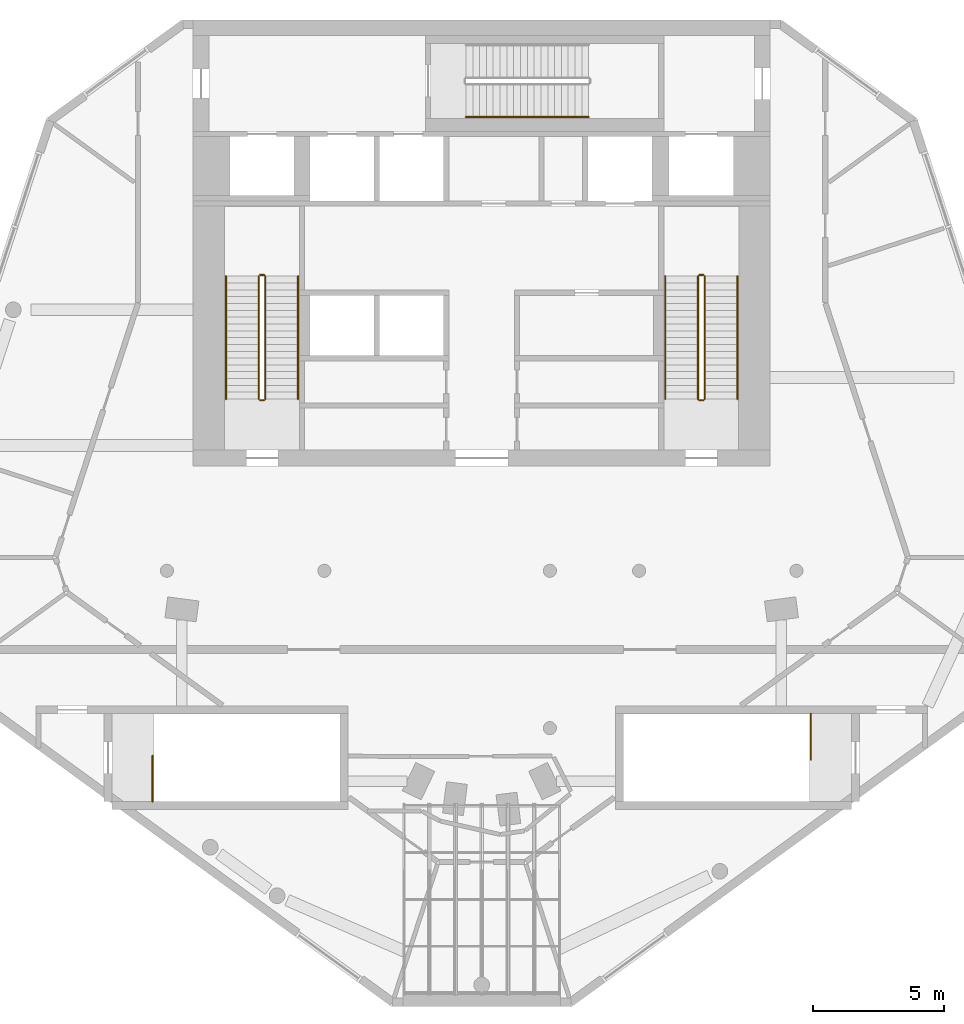
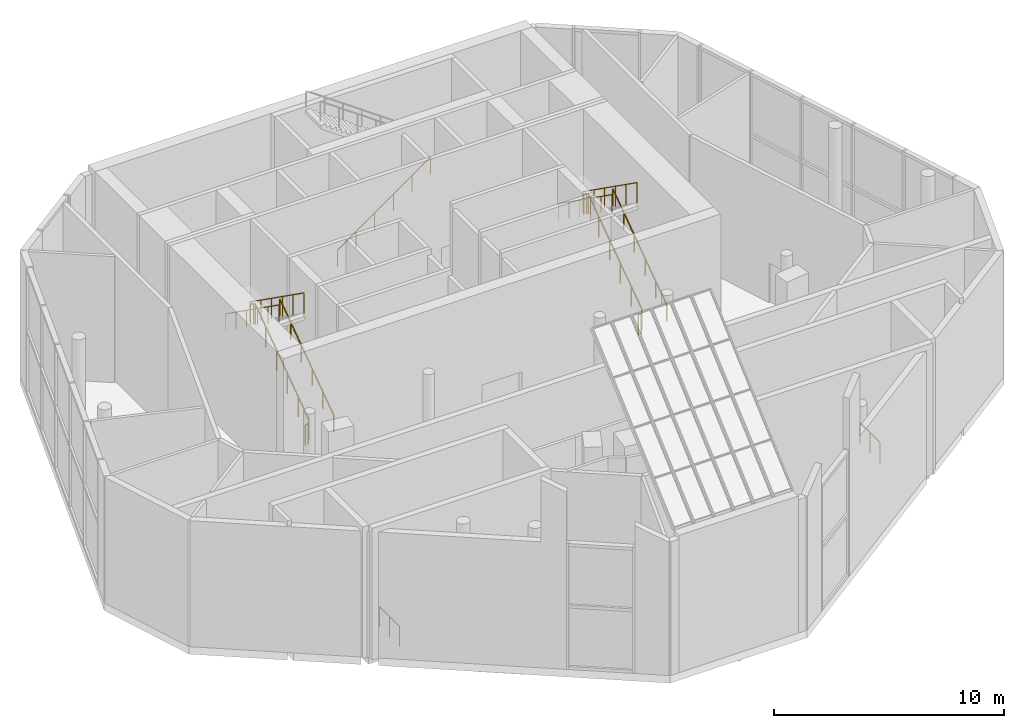
# One storey, part 8 of 9: 15 railings.
"""IFC4 building model written with IfcOpenShell, lengths in metres."""

from ifc_helpers import new_model, si_unit, direction, frame, origin, origin_2d, place, context, subcontext, project, spatial, circle, extrude, material, type_object, element, save


model = new_model("IFC4")

# Units and contexts
model_context = context("Model", 3, precision=1e-05, world=origin(), true_north=direction((0.0, 1.0)))
body_context = subcontext(model_context, "Body", "Model", "MODEL_VIEW")
ifc_project = project(units=[si_unit("LENGTHUNIT", "METRE"), si_unit("AREAUNIT", "SQUARE_METRE"), si_unit("VOLUMEUNIT", "CUBIC_METRE"), si_unit("PLANEANGLEUNIT", "RADIAN"), si_unit("MASSUNIT", "GRAM", prefix="KILO")], contexts=[model_context])

# Site, building, storey
site_placement = place(None, origin())
site = spatial("IfcSite", under=ifc_project, at=site_placement, CompositionType="ELEMENT")
building_placement = place(site_placement, origin())
building = spatial("IfcBuilding", under=site, at=building_placement, Name="White Candle Pilgrim Tower", CompositionType="ELEMENT")
storey_placement = place(building_placement, frame((0.0, 0.0, 321.699951171875)))
storey = spatial("IfcBuildingStorey", under=building, at=storey_placement, Name="L76", CompositionType="ELEMENT", Elevation=321.699951171875)

# Railings
ifc_material = material(Name="Stainless steel", Category="steel")
railing_type_1 = type_object("IfcRailingType", Name="Stair guard stainless steel 1100 mm", PredefinedType="GUARDRAIL", material=ifc_material)
railing_1_placement = place(storey_placement, frame((61.75, 73.550048828125, 0.184326171875)))
element("IfcRailing", 1, at=railing_1_placement, inside=storey, type_object=railing_type_1, Name="L76 ST1 stair guard 1", PredefinedType="GUARDRAIL", context=body_context, shape_type="SweptSolid", body=[
    extrude(circle(Radius=0.02392578125, at=origin_2d()), frame((0.0, 0.0, 1.076171875), z_axis=(0.0, 0.815965079962, 0.578101192079), x_axis=(-1.0, 0.0, 0.0)), (0.0, 0.0, 1.0), 5.7353515625),
    extrude(circle(Radius=0.02099609375, at=origin_2d()), origin(), (0.0, 0.0, 1.0), 1.052001953125),
    extrude(circle(Radius=0.02099609375, at=origin_2d()), frame((0.0, 0.93603515625, 0.6630859375)), (0.0, 0.0, 1.0), 1.052001953125),
    extrude(circle(Radius=0.02099609375, at=origin_2d()), frame((0.0, 1.8720703125, 1.326171875)), (0.0, 0.0, 1.0), 1.052001953125),
    extrude(circle(Radius=0.02099609375, at=origin_2d()), frame((0.0, 2.807861328125, 1.989501953125)), (0.0, 0.0, 1.0), 1.052001953125),
    extrude(circle(Radius=0.02099609375, at=origin_2d()), frame((0.0, 3.743896484375, 2.652587890625)), (0.0, 0.0, 1.0), 1.052001953125),
    extrude(circle(Radius=0.02099609375, at=origin_2d()), frame((0.0, 4.679931640625, 3.315673828125)), (0.0, 0.0, 1.0), 1.052001953125),
])
railing_2_placement = place(storey_placement, frame((61.699951171875, 78.280029296875, 3.5)))
element("IfcRailing", 2, at=railing_2_placement, inside=storey, type_object=railing_type_1, Name="L76 ST1 stair guard 2", PredefinedType="GUARDRAIL", context=body_context, shape_type="SweptSolid", body=[
    extrude(circle(Radius=0.02392578125, at=origin_2d()), frame((0.0, 0.0, 1.076171875), z_axis=(-1.0, 0.0, 0.0), x_axis=(0.0, -1.0, 0.0)), (0.0, 0.0, 1.0), 0.14990234375),
    extrude(circle(Radius=0.02099609375, at=origin_2d()), origin(), (0.0, 0.0, 1.0), 1.052001953125),
    extrude(circle(Radius=0.02099609375, at=origin_2d()), frame((-0.14990234375, 0.0, 0.0)), (0.0, 0.0, 1.0), 1.052001953125),
])
railing_3_placement = place(storey_placement, frame((61.5, 78.22998046875, 3.684326171875)))
element("IfcRailing", 3, at=railing_3_placement, inside=storey, type_object=railing_type_1, Name="L76 ST1 stair guard 3", PredefinedType="GUARDRAIL", context=body_context, shape_type="SweptSolid", body=[
    extrude(circle(Radius=0.02392578125, at=origin_2d()), frame((0.0, 0.0, 1.076171875), z_axis=(0.0, -0.815965079962, 0.578101192079), x_axis=(1.0, 0.0, 0.0)), (0.0, 0.0, 1.0), 5.7353515625),
    extrude(circle(Radius=0.02099609375, at=origin_2d()), origin(), (0.0, 0.0, 1.0), 1.052001953125),
    extrude(circle(Radius=0.02099609375, at=origin_2d()), frame((0.0, -0.93603515625, 0.6630859375)), (0.0, 0.0, 1.0), 1.052001953125),
    extrude(circle(Radius=0.02099609375, at=origin_2d()), frame((0.0, -1.8720703125, 1.326171875)), (0.0, 0.0, 1.0), 1.052001953125),
    extrude(circle(Radius=0.02099609375, at=origin_2d()), frame((0.0, -2.807861328125, 1.989501953125)), (0.0, 0.0, 1.0), 1.052001953125),
    extrude(circle(Radius=0.02099609375, at=origin_2d()), frame((0.0, -3.743896484375, 2.652587890625)), (0.0, 0.0, 1.0), 1.052001953125),
    extrude(circle(Radius=0.02099609375, at=origin_2d()), frame((0.0, -4.679931640625, 3.315673828125)), (0.0, 0.0, 1.0), 1.052001953125),
])
railing_4_placement = place(storey_placement, frame((61.699951171875, 73.5, 0.0)))
element("IfcRailing", 4, at=railing_4_placement, inside=storey, type_object=railing_type_1, Name="L76 ST1 stair guard 4", PredefinedType="GUARDRAIL", context=body_context, shape_type="SweptSolid", body=[
    extrude(circle(Radius=0.02392578125, at=origin_2d()), frame((0.0, 0.0, 1.076171875), z_axis=(-1.0, 0.0, 0.0), x_axis=(0.0, -1.0, 0.0)), (0.0, 0.0, 1.0), 0.14990234375),
    extrude(circle(Radius=0.02099609375, at=origin_2d()), origin(), (0.0, 0.0, 1.0), 1.052001953125),
    extrude(circle(Radius=0.02099609375, at=origin_2d()), frame((-0.14990234375, 0.0, 0.0)), (0.0, 0.0, 1.0), 1.052001953125),
])
railing_5_placement = place(storey_placement, frame((78.5, 73.550048828125, 0.184326171875)))
element("IfcRailing", 5, at=railing_5_placement, inside=storey, type_object=railing_type_1, Name="L76 ST2 stair guard 1", PredefinedType="GUARDRAIL", context=body_context, shape_type="SweptSolid", body=[
    extrude(circle(Radius=0.02392578125, at=origin_2d()), frame((0.0, 0.0, 1.076171875), z_axis=(0.0, 0.815965079962, 0.578101192079), x_axis=(-1.0, 0.0, 0.0)), (0.0, 0.0, 1.0), 5.7353515625),
    extrude(circle(Radius=0.02099609375, at=origin_2d()), origin(), (0.0, 0.0, 1.0), 1.052001953125),
    extrude(circle(Radius=0.02099609375, at=origin_2d()), frame((0.0, 0.93603515625, 0.6630859375)), (0.0, 0.0, 1.0), 1.052001953125),
    extrude(circle(Radius=0.02099609375, at=origin_2d()), frame((0.0, 1.8720703125, 1.326171875)), (0.0, 0.0, 1.0), 1.052001953125),
    extrude(circle(Radius=0.02099609375, at=origin_2d()), frame((0.0, 2.807861328125, 1.989501953125)), (0.0, 0.0, 1.0), 1.052001953125),
    extrude(circle(Radius=0.02099609375, at=origin_2d()), frame((0.0, 3.743896484375, 2.652587890625)), (0.0, 0.0, 1.0), 1.052001953125),
    extrude(circle(Radius=0.02099609375, at=origin_2d()), frame((0.0, 4.679931640625, 3.315673828125)), (0.0, 0.0, 1.0), 1.052001953125),
])
railing_6_placement = place(storey_placement, frame((78.449951171875, 78.280029296875, 3.5)))
element("IfcRailing", 6, at=railing_6_placement, inside=storey, type_object=railing_type_1, Name="L76 ST2 stair guard 2", PredefinedType="GUARDRAIL", context=body_context, shape_type="SweptSolid", body=[
    extrude(circle(Radius=0.02392578125, at=origin_2d()), frame((0.0, 0.0, 1.076171875), z_axis=(-1.0, 0.0, 0.0), x_axis=(0.0, -1.0, 0.0)), (0.0, 0.0, 1.0), 0.14990234375),
    extrude(circle(Radius=0.02099609375, at=origin_2d()), origin(), (0.0, 0.0, 1.0), 1.052001953125),
    extrude(circle(Radius=0.02099609375, at=origin_2d()), frame((-0.14990234375, 0.0, 0.0)), (0.0, 0.0, 1.0), 1.052001953125),
])
railing_7_placement = place(storey_placement, frame((78.25, 78.22998046875, 3.684326171875)))
element("IfcRailing", 7, at=railing_7_placement, inside=storey, type_object=railing_type_1, Name="L76 ST2 stair guard 3", PredefinedType="GUARDRAIL", context=body_context, shape_type="SweptSolid", body=[
    extrude(circle(Radius=0.02392578125, at=origin_2d()), frame((0.0, 0.0, 1.076171875), z_axis=(0.0, -0.815965079962, 0.578101192079), x_axis=(1.0, 0.0, 0.0)), (0.0, 0.0, 1.0), 5.7353515625),
    extrude(circle(Radius=0.02099609375, at=origin_2d()), origin(), (0.0, 0.0, 1.0), 1.052001953125),
    extrude(circle(Radius=0.02099609375, at=origin_2d()), frame((0.0, -0.93603515625, 0.6630859375)), (0.0, 0.0, 1.0), 1.052001953125),
    extrude(circle(Radius=0.02099609375, at=origin_2d()), frame((0.0, -1.8720703125, 1.326171875)), (0.0, 0.0, 1.0), 1.052001953125),
    extrude(circle(Radius=0.02099609375, at=origin_2d()), frame((0.0, -2.807861328125, 1.989501953125)), (0.0, 0.0, 1.0), 1.052001953125),
    extrude(circle(Radius=0.02099609375, at=origin_2d()), frame((0.0, -3.743896484375, 2.652587890625)), (0.0, 0.0, 1.0), 1.052001953125),
    extrude(circle(Radius=0.02099609375, at=origin_2d()), frame((0.0, -4.679931640625, 3.315673828125)), (0.0, 0.0, 1.0), 1.052001953125),
])
railing_8_placement = place(storey_placement, frame((78.449951171875, 73.5, 0.0)))
element("IfcRailing", 8, at=railing_8_placement, inside=storey, type_object=railing_type_1, Name="L76 ST2 stair guard 4", PredefinedType="GUARDRAIL", context=body_context, shape_type="SweptSolid", body=[
    extrude(circle(Radius=0.02392578125, at=origin_2d()), frame((0.0, 0.0, 1.076171875), z_axis=(-1.0, 0.0, 0.0), x_axis=(0.0, -1.0, 0.0)), (0.0, 0.0, 1.0), 0.14990234375),
    extrude(circle(Radius=0.02099609375, at=origin_2d()), origin(), (0.0, 0.0, 1.0), 1.052001953125),
    extrude(circle(Radius=0.02099609375, at=origin_2d()), frame((-0.14990234375, 0.0, 0.0)), (0.0, 0.0, 1.0), 1.052001953125),
])
railing_9_placement = place(storey_placement, frame((82.550048828125, 61.550048828125, 0.0)))
element("IfcRailing", 9, at=railing_9_placement, inside=storey, type_object=railing_type_1, Name="L76 ST4 top well guard 1", PredefinedType="GUARDRAIL", context=body_context, shape_type="SweptSolid", body=[
    extrude(circle(Radius=0.02392578125, at=origin_2d()), frame((0.0, 0.0, 1.076171875), z_axis=(0.0, -1.0, 0.0), x_axis=(1.0, 0.0, 0.0)), (0.0, 0.0, 1.0), 1.75),
    extrude(circle(Radius=0.02099609375, at=origin_2d()), origin(), (0.0, 0.0, 1.0), 1.052001953125),
    extrude(circle(Radius=0.02099609375, at=origin_2d()), frame((0.0, -0.875, 0.0)), (0.0, 0.0, 1.0), 1.052001953125),
    extrude(circle(Radius=0.02099609375, at=origin_2d()), frame((0.0, -1.75, 0.0)), (0.0, 0.0, 1.0), 1.052001953125),
])
railing_10_placement = place(storey_placement, frame((57.449951171875, 58.199951171875, 0.0)))
element("IfcRailing", 10, at=railing_10_placement, inside=storey, type_object=railing_type_1, Name="L76 ST5 top well guard 1", PredefinedType="GUARDRAIL", context=body_context, shape_type="SweptSolid", body=[
    extrude(circle(Radius=0.02392578125, at=origin_2d()), frame((0.0, 0.0, 1.076171875), z_axis=(0.0, 1.0, 0.0), x_axis=(-1.0, 0.0, 0.0)), (0.0, 0.0, 1.0), 1.75),
    extrude(circle(Radius=0.02099609375, at=origin_2d()), origin(), (0.0, 0.0, 1.0), 1.052001953125),
    extrude(circle(Radius=0.02099609375, at=origin_2d()), frame((0.0, 0.875, 0.0)), (0.0, 0.0, 1.0), 1.052001953125),
    extrude(circle(Radius=0.02099609375, at=origin_2d()), frame((0.0, 1.75, 0.0)), (0.0, 0.0, 1.0), 1.052001953125),
])
railing_type_2 = type_object("IfcRailingType", Name="Stair handrail stainless steel", PredefinedType="HANDRAIL", material=ifc_material)
railing_11_placement = place(storey_placement, frame((63.0, 73.550048828125, 0.184326171875)))
element("IfcRailing", 11, at=railing_11_placement, inside=storey, type_object=railing_type_2, Name="L76 ST1 stair handrail 1", PredefinedType="HANDRAIL", context=body_context, shape_type="SweptSolid", body=[
    extrude(circle(Radius=0.02392578125, at=origin_2d()), frame((0.0, 0.0, 0.8759765625), z_axis=(0.0, 0.815965079962, 0.578101192079), x_axis=(-1.0, 0.0, 0.0)), (0.0, 0.0, 1.0), 5.7353515625),
    extrude(circle(Radius=0.02099609375, at=origin_2d()), origin(), (0.0, 0.0, 1.0), 0.851806640625),
    extrude(circle(Radius=0.02099609375, at=origin_2d()), frame((0.0, 0.93603515625, 0.6630859375)), (0.0, 0.0, 1.0), 0.851806640625),
    extrude(circle(Radius=0.02099609375, at=origin_2d()), frame((0.0, 1.8720703125, 1.326171875)), (0.0, 0.0, 1.0), 0.851806640625),
    extrude(circle(Radius=0.02099609375, at=origin_2d()), frame((0.0, 2.807861328125, 1.989501953125)), (0.0, 0.0, 1.0), 0.851806640625),
    extrude(circle(Radius=0.02099609375, at=origin_2d()), frame((0.0, 3.743896484375, 2.652587890625)), (0.0, 0.0, 1.0), 0.851806640625),
    extrude(circle(Radius=0.02099609375, at=origin_2d()), frame((0.0, 4.679931640625, 3.315673828125)), (0.0, 0.0, 1.0), 0.851806640625),
])
railing_12_placement = place(storey_placement, frame((60.25, 78.22998046875, 3.684326171875)))
element("IfcRailing", 12, at=railing_12_placement, inside=storey, type_object=railing_type_2, Name="L76 ST1 stair handrail 2", PredefinedType="HANDRAIL", context=body_context, shape_type="SweptSolid", body=[
    extrude(circle(Radius=0.02392578125, at=origin_2d()), frame((0.0, 0.0, 0.8759765625), z_axis=(0.0, -0.815965079962, 0.578101192079), x_axis=(1.0, 0.0, 0.0)), (0.0, 0.0, 1.0), 5.7353515625),
    extrude(circle(Radius=0.02099609375, at=origin_2d()), origin(), (0.0, 0.0, 1.0), 0.851806640625),
    extrude(circle(Radius=0.02099609375, at=origin_2d()), frame((0.0, -0.93603515625, 0.6630859375)), (0.0, 0.0, 1.0), 0.851806640625),
    extrude(circle(Radius=0.02099609375, at=origin_2d()), frame((0.0, -1.8720703125, 1.326171875)), (0.0, 0.0, 1.0), 0.851806640625),
    extrude(circle(Radius=0.02099609375, at=origin_2d()), frame((0.0, -2.807861328125, 1.989501953125)), (0.0, 0.0, 1.0), 0.851806640625),
    extrude(circle(Radius=0.02099609375, at=origin_2d()), frame((0.0, -3.743896484375, 2.652587890625)), (0.0, 0.0, 1.0), 0.851806640625),
    extrude(circle(Radius=0.02099609375, at=origin_2d()), frame((0.0, -4.679931640625, 3.315673828125)), (0.0, 0.0, 1.0), 0.851806640625),
])
railing_13_placement = place(storey_placement, frame((79.75, 73.550048828125, 0.184326171875)))
element("IfcRailing", 13, at=railing_13_placement, inside=storey, type_object=railing_type_2, Name="L76 ST2 stair handrail 1", PredefinedType="HANDRAIL", context=body_context, shape_type="SweptSolid", body=[
    extrude(circle(Radius=0.02392578125, at=origin_2d()), frame((0.0, 0.0, 0.8759765625), z_axis=(0.0, 0.815965079962, 0.578101192079), x_axis=(-1.0, 0.0, 0.0)), (0.0, 0.0, 1.0), 5.7353515625),
    extrude(circle(Radius=0.02099609375, at=origin_2d()), origin(), (0.0, 0.0, 1.0), 0.851806640625),
    extrude(circle(Radius=0.02099609375, at=origin_2d()), frame((0.0, 0.93603515625, 0.6630859375)), (0.0, 0.0, 1.0), 0.851806640625),
    extrude(circle(Radius=0.02099609375, at=origin_2d()), frame((0.0, 1.8720703125, 1.326171875)), (0.0, 0.0, 1.0), 0.851806640625),
    extrude(circle(Radius=0.02099609375, at=origin_2d()), frame((0.0, 2.807861328125, 1.989501953125)), (0.0, 0.0, 1.0), 0.851806640625),
    extrude(circle(Radius=0.02099609375, at=origin_2d()), frame((0.0, 3.743896484375, 2.652587890625)), (0.0, 0.0, 1.0), 0.851806640625),
    extrude(circle(Radius=0.02099609375, at=origin_2d()), frame((0.0, 4.679931640625, 3.315673828125)), (0.0, 0.0, 1.0), 0.851806640625),
])
railing_14_placement = place(storey_placement, frame((77.0, 78.22998046875, 3.684326171875)))
element("IfcRailing", 14, at=railing_14_placement, inside=storey, type_object=railing_type_2, Name="L76 ST2 stair handrail 2", PredefinedType="HANDRAIL", context=body_context, shape_type="SweptSolid", body=[
    extrude(circle(Radius=0.02392578125, at=origin_2d()), frame((0.0, 0.0, 0.8759765625), z_axis=(0.0, -0.815965079962, 0.578101192079), x_axis=(1.0, 0.0, 0.0)), (0.0, 0.0, 1.0), 5.7353515625),
    extrude(circle(Radius=0.02099609375, at=origin_2d()), origin(), (0.0, 0.0, 1.0), 0.851806640625),
    extrude(circle(Radius=0.02099609375, at=origin_2d()), frame((0.0, -0.93603515625, 0.6630859375)), (0.0, 0.0, 1.0), 0.851806640625),
    extrude(circle(Radius=0.02099609375, at=origin_2d()), frame((0.0, -1.8720703125, 1.326171875)), (0.0, 0.0, 1.0), 0.851806640625),
    extrude(circle(Radius=0.02099609375, at=origin_2d()), frame((0.0, -2.807861328125, 1.989501953125)), (0.0, 0.0, 1.0), 0.851806640625),
    extrude(circle(Radius=0.02099609375, at=origin_2d()), frame((0.0, -3.743896484375, 2.652587890625)), (0.0, 0.0, 1.0), 0.851806640625),
    extrude(circle(Radius=0.02099609375, at=origin_2d()), frame((0.0, -4.679931640625, 3.315673828125)), (0.0, 0.0, 1.0), 0.851806640625),
])
railing_15_placement = place(storey_placement, frame((69.39990234375, 84.300048828125, 0.184326171875)))
element("IfcRailing", 15, at=railing_15_placement, inside=storey, type_object=railing_type_2, Name="L76 ST3 stair handrail 1", PredefinedType="HANDRAIL", context=body_context, shape_type="SweptSolid", body=[
    extrude(circle(Radius=0.02392578125, at=origin_2d()), frame((0.0, 0.0, 0.8759765625), z_axis=(0.815979305124, 0.0, 0.578081113348), x_axis=(0.0, 1.0, 0.0)), (0.0, 0.0, 1.0), 5.735595703125),
    extrude(circle(Radius=0.02099609375, at=origin_2d()), origin(), (0.0, 0.0, 1.0), 0.851806640625),
    extrude(circle(Radius=0.02099609375, at=origin_2d()), frame((0.93603515625, 0.0, 0.6630859375)), (0.0, 0.0, 1.0), 0.851806640625),
    extrude(circle(Radius=0.02099609375, at=origin_2d()), frame((1.8720703125, 0.0, 1.326171875)), (0.0, 0.0, 1.0), 0.851806640625),
    extrude(circle(Radius=0.02099609375, at=origin_2d()), frame((2.80810546875, 0.0, 1.989501953125)), (0.0, 0.0, 1.0), 0.851806640625),
    extrude(circle(Radius=0.02099609375, at=origin_2d()), frame((3.744140625, 0.0, 2.652587890625)), (0.0, 0.0, 1.0), 0.851806640625),
    extrude(circle(Radius=0.02099609375, at=origin_2d()), frame((4.68017578125, 0.0, 3.315673828125)), (0.0, 0.0, 1.0), 0.851806640625),
])

save(model, "model.ifc")
